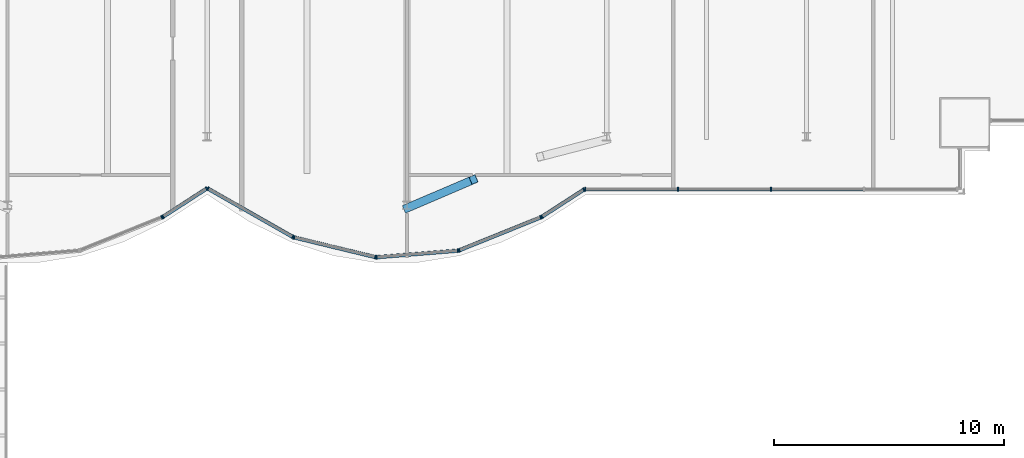
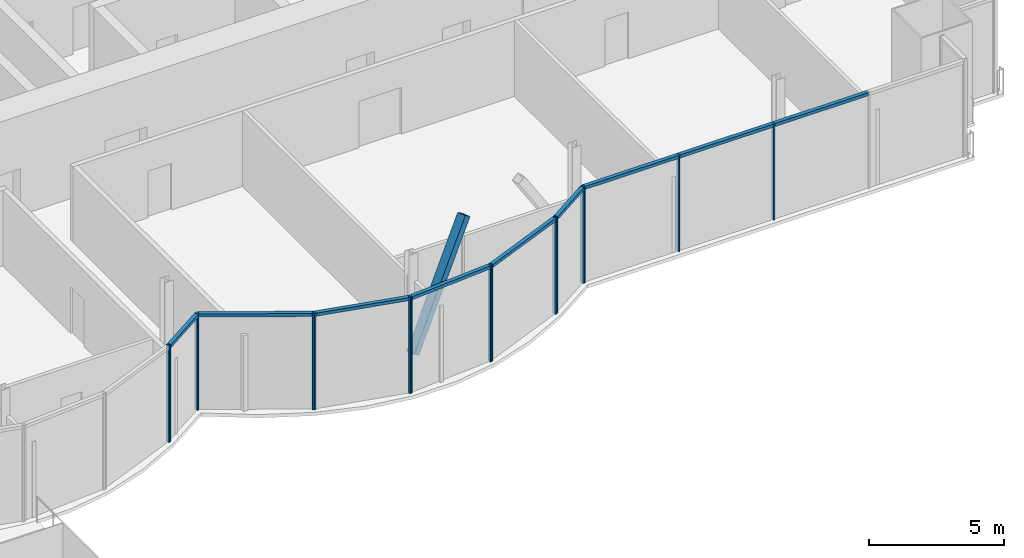
# One storey, part 8 of 22: 26 members, 3 elements without a shape of their own.
"""IFC4 building model written with IfcOpenShell, lengths in metres."""

from ifc_helpers import new_model, si_unit, direction, frame, origin, origin_2d, place, context, subcontext, project, spatial, rectangle, hollow_rectangle, extrude, material, material_profile, profile_set, type_object, element, aggregate, save


model = new_model("IFC4")

# Units and contexts
model_context = context("Model", 3, precision=1e-05, world=origin(), true_north=direction((0.0, 1.0)))
body_context = subcontext(model_context, "Body", "Model", "MODEL_VIEW")
ifc_project = project(units=[si_unit("LENGTHUNIT", "METRE"), si_unit("AREAUNIT", "SQUARE_METRE"), si_unit("VOLUMEUNIT", "CUBIC_METRE"), si_unit("PLANEANGLEUNIT", "RADIAN"), si_unit("MASSUNIT", "GRAM", prefix="KILO")], contexts=[model_context])

# Site, building, storey
site_placement = place(None, origin())
site = spatial("IfcSite", under=ifc_project, at=site_placement, CompositionType="ELEMENT")
building_placement = place(site_placement, origin())
building = spatial("IfcBuilding", under=site, at=building_placement, Name="Bicima Exchange Tower", CompositionType="ELEMENT")
storey_placement = place(building_placement, frame((0.0, 0.0, 293.0)))
storey = spatial("IfcBuildingStorey", under=building, at=storey_placement, Name="L66", CompositionType="ELEMENT", Elevation=293.0)

# Curtain wall, members
ifc_material_1 = material(Name="Anodised bronze aluminium", Category="aluminium")
curtain_wall_type = type_object("IfcCurtainWallType", Name="Front glass wall", PredefinedType="NOTDEFINED", material=ifc_material_1)
curtain_wall_1_placement = place(storey_placement, origin())
curtain_wall_1 = element("IfcCurtainWall", 1, at=curtain_wall_1_placement, inside=storey, type_object=curtain_wall_type, Name="Front glass wall L66 run 6", PredefinedType="NOTDEFINED")
ifc_material_profile_1 = material_profile(ifc_material_1, rectangle(XDim=0.159912109375, YDim=0.06005859375, at=origin_2d()))
ifc_profile_set_1 = profile_set([ifc_material_profile_1], Name="Anodised bronze aluminium")
member_type_1 = type_object("IfcMemberType", Name="Front glass wall mullion 60 x 160", PredefinedType="MULLION", material=ifc_profile_set_1)
member_1_placement = place(storey_placement, frame((-1.97412109375, -28.355712890625, 0.0), z_axis=(0.0, 0.0, 1.0), x_axis=(-0.374705304, 0.92714396679, 0.0)))
member_1 = element("IfcMember", 2, at=member_1_placement, type_object=member_type_1, Name="Front glass wall mullion 2", PredefinedType="MULLION", context=body_context, shape_type="SweptSolid", body=[
    extrude(rectangle(XDim=0.159912109375, YDim=0.06005859375, at=origin_2d()), origin(), (0.0, 0.0, 1.0), 4.35009765625),
])
member_2_placement = place(storey_placement, frame((-1.921142578125, -28.328125, 0.0), z_axis=(0.0, 0.0, 1.0), x_axis=(-0.542897457326, 0.839798994301, 0.0)))
member_2 = element("IfcMember", 3, at=member_2_placement, type_object=member_type_1, Name="Front glass wall mullion 1", PredefinedType="MULLION", context=body_context, shape_type="SweptSolid", body=[
    extrude(rectangle(XDim=0.159912109375, YDim=0.06005859375, at=origin_2d()), origin(), (0.0, 0.0, 1.0), 4.35009765625),
])
member_3_placement = place(storey_placement, frame((-0.025146484375, -27.102294921875, 0.0), z_axis=(0.0, 0.0, 1.0), x_axis=(-0.542897457326, 0.839798994301, 0.0)))
member_3 = element("IfcMember", 4, at=member_3_placement, type_object=member_type_1, Name="Front glass wall mullion 2", PredefinedType="MULLION", context=body_context, shape_type="SweptSolid", body=[
    extrude(rectangle(XDim=0.159912109375, YDim=0.06005859375, at=origin_2d()), origin(), (0.0, 0.0, 1.0), 4.35009765625),
])

curtain_wall_2_placement = place(storey_placement, origin())
curtain_wall_2 = element("IfcCurtainWall", 5, at=curtain_wall_2_placement, inside=storey, type_object=curtain_wall_type, Name="Front glass wall L66 run 11", PredefinedType="NOTDEFINED")
member_4_placement = place(storey_placement, frame((0.026123046875, -27.10107421875, 0.0), z_axis=(0.0, 0.0, 1.0), x_axis=(0.494330311331, 0.869274147378, 0.0)))
member_4 = element("IfcMember", 6, at=member_4_placement, type_object=member_type_1, Name="Front glass wall mullion 1", PredefinedType="MULLION", context=body_context, shape_type="SweptSolid", body=[
    extrude(rectangle(XDim=0.159912109375, YDim=0.06005859375, at=origin_2d()), origin(), (0.0, 0.0, 1.0), 4.35009765625),
])
member_5_placement = place(storey_placement, frame((3.7265625, -29.205322265625, 0.0), z_axis=(0.0, 0.0, 1.0), x_axis=(0.494330311331, 0.869274147378, 0.0)))
member_5 = element("IfcMember", 7, at=member_5_placement, type_object=member_type_1, Name="Front glass wall mullion 2", PredefinedType="MULLION", context=body_context, shape_type="SweptSolid", body=[
    extrude(rectangle(XDim=0.159912109375, YDim=0.06005859375, at=origin_2d()), origin(), (0.0, 0.0, 1.0), 4.35009765625),
])
member_6_placement = place(storey_placement, frame((3.781982421875, -29.227294921875, 0.0), z_axis=(0.0, 0.0, 1.0), x_axis=(0.235681529503, 0.971830343553, 0.0)))
member_6 = element("IfcMember", 8, at=member_6_placement, type_object=member_type_1, Name="Front glass wall mullion 1", PredefinedType="MULLION", context=body_context, shape_type="SweptSolid", body=[
    extrude(rectangle(XDim=0.159912109375, YDim=0.06005859375, at=origin_2d()), origin(), (0.0, 0.0, 1.0), 4.35009765625),
])
member_7_placement = place(storey_placement, frame((7.322509765625, -30.0859375, 0.0), z_axis=(0.0, 0.0, 1.0), x_axis=(0.235681529503, 0.971830343553, 0.0)))
member_7 = element("IfcMember", 9, at=member_7_placement, type_object=member_type_1, Name="Front glass wall mullion 2", PredefinedType="MULLION", context=body_context, shape_type="SweptSolid", body=[
    extrude(rectangle(XDim=0.159912109375, YDim=0.06005859375, at=origin_2d()), origin(), (0.0, 0.0, 1.0), 4.35009765625),
])
member_8_placement = place(storey_placement, frame((7.381591796875, -30.090576171875, 0.0), z_axis=(0.0, 0.0, 1.0), x_axis=(-0.080588612633, 0.99674744821, 0.0)))
member_8 = element("IfcMember", 10, at=member_8_placement, type_object=member_type_1, Name="Front glass wall mullion 1", PredefinedType="MULLION", context=body_context, shape_type="SweptSolid", body=[
    extrude(rectangle(XDim=0.159912109375, YDim=0.06005859375, at=origin_2d()), origin(), (0.0, 0.0, 1.0), 4.35009765625),
])
member_9_placement = place(storey_placement, frame((10.916015625, -29.8046875, 0.0), z_axis=(0.0, 0.0, 1.0), x_axis=(-0.080588612633, 0.99674744821, 0.0)))
member_9 = element("IfcMember", 11, at=member_9_placement, type_object=member_type_1, Name="Front glass wall mullion 2", PredefinedType="MULLION", context=body_context, shape_type="SweptSolid", body=[
    extrude(rectangle(XDim=0.159912109375, YDim=0.06005859375, at=origin_2d()), origin(), (0.0, 0.0, 1.0), 4.35009765625),
])
member_10_placement = place(storey_placement, frame((10.973876953125, -29.791259765625, 0.0), z_axis=(0.0, 0.0, 1.0), x_axis=(-0.374705304, 0.92714396679, 0.0)))
member_10 = element("IfcMember", 12, at=member_10_placement, type_object=member_type_1, Name="Front glass wall mullion 1", PredefinedType="MULLION", context=body_context, shape_type="SweptSolid", body=[
    extrude(rectangle(XDim=0.159912109375, YDim=0.06005859375, at=origin_2d()), origin(), (0.0, 0.0, 1.0), 4.35009765625),
])
member_11_placement = place(storey_placement, frame((14.52587890625, -28.355712890625, 0.0), z_axis=(0.0, 0.0, 1.0), x_axis=(-0.374705304, 0.92714396679, 0.0)))
member_11 = element("IfcMember", 13, at=member_11_placement, type_object=member_type_1, Name="Front glass wall mullion 2", PredefinedType="MULLION", context=body_context, shape_type="SweptSolid", body=[
    extrude(rectangle(XDim=0.159912109375, YDim=0.06005859375, at=origin_2d()), origin(), (0.0, 0.0, 1.0), 4.35009765625),
])
member_12_placement = place(storey_placement, frame((14.578857421875, -28.328125, 0.0), z_axis=(0.0, 0.0, 1.0), x_axis=(-0.542909183079, 0.839791413941, 0.0)))
member_12 = element("IfcMember", 14, at=member_12_placement, type_object=member_type_1, Name="Front glass wall mullion 1", PredefinedType="MULLION", context=body_context, shape_type="SweptSolid", body=[
    extrude(rectangle(XDim=0.159912109375, YDim=0.06005859375, at=origin_2d()), origin(), (0.0, 0.0, 1.0), 4.35009765625),
])
member_13_placement = place(storey_placement, frame((16.406982421875, -27.146240234375, 0.0), z_axis=(0.0, 0.0, 1.0), x_axis=(-0.542909183079, 0.839791413941, 0.0)))
member_13 = element("IfcMember", 15, at=member_13_placement, type_object=member_type_1, Name="Front glass wall mullion 2", PredefinedType="MULLION", context=body_context, shape_type="SweptSolid", body=[
    extrude(rectangle(XDim=0.159912109375, YDim=0.06005859375, at=origin_2d()), origin(), (0.0, 0.0, 1.0), 4.35009765625),
])

curtain_wall_3_placement = place(storey_placement, origin())
curtain_wall_3 = element("IfcCurtainWall", 16, at=curtain_wall_3_placement, inside=storey, type_object=curtain_wall_type, Name="Front glass wall L66 run 16", PredefinedType="NOTDEFINED")
member_14_placement = place(storey_placement, frame((16.462158203125, -27.1298828125, 0.0), z_axis=(0.0, 0.0, 1.0), x_axis=(0.0, 1.0, 0.0)))
member_14 = element("IfcMember", 17, at=member_14_placement, type_object=member_type_1, Name="Front glass wall mullion 1", PredefinedType="MULLION", context=body_context, shape_type="SweptSolid", body=[
    extrude(rectangle(XDim=0.159912109375, YDim=0.06005859375, at=origin_2d()), origin(), (0.0, 0.0, 1.0), 4.35009765625),
])
member_15_placement = place(storey_placement, frame((20.51171875, -27.1298828125, 0.0), z_axis=(0.0, 0.0, 1.0), x_axis=(0.0, 1.0, 0.0)))
member_15 = element("IfcMember", 18, at=member_15_placement, type_object=member_type_1, Name="Front glass wall mullion 2", PredefinedType="MULLION", context=body_context, shape_type="SweptSolid", body=[
    extrude(rectangle(XDim=0.159912109375, YDim=0.06005859375, at=origin_2d()), origin(), (0.0, 0.0, 1.0), 4.35009765625),
])
member_16_placement = place(storey_placement, frame((24.56103515625, -27.1298828125, 0.0), z_axis=(0.0, 0.0, 1.0), x_axis=(0.0, 1.0, 0.0)))
member_16 = element("IfcMember", 19, at=member_16_placement, type_object=member_type_1, Name="Front glass wall mullion 3", PredefinedType="MULLION", context=body_context, shape_type="SweptSolid", body=[
    extrude(rectangle(XDim=0.159912109375, YDim=0.06005859375, at=origin_2d()), origin(), (0.0, 0.0, 1.0), 4.35009765625),
])

# Member
ifc_material_profile_2 = material_profile(ifc_material_1, rectangle(XDim=0.159912109375, YDim=0.139892578125, at=origin_2d()))
ifc_profile_set_2 = profile_set([ifc_material_profile_2], Name="Anodised bronze aluminium")
member_type_2 = type_object("IfcMemberType", Name="Front glass wall transom 140 x 160", PredefinedType="USERDEFINED", material=ifc_profile_set_2)
member_17_placement = place(storey_placement, frame((-1.89599609375, -28.311767578125, 4.280029296875), z_axis=(0.839811483481, 0.542878137536, 0.0), x_axis=(-0.542878137536, 0.839811483481, 0.0)))
member_17 = element("IfcMember", 20, at=member_17_placement, type_object=member_type_2, Name="Front glass wall transom 1.1", ObjectType="TRANSOM", PredefinedType="USERDEFINED", context=body_context, shape_type="SweptSolid", body=[
    extrude(rectangle(XDim=0.159912109375, YDim=0.139892578125, at=origin_2d()), origin(), (0.0, 0.0, 1.0), 2.19775390625),
])

aggregate(curtain_wall_1, [member_1, member_2, member_3, member_17])

member_18_placement = place(storey_placement, frame((0.05224609375, -27.11572265625, 4.280029296875), z_axis=(0.869265121745, -0.494346182466, 0.0), x_axis=(0.494346182466, 0.869265121745, 0.0)))
member_18 = element("IfcMember", 21, at=member_18_placement, type_object=member_type_2, Name="Front glass wall transom 1.1", ObjectType="TRANSOM", PredefinedType="USERDEFINED", context=body_context, shape_type="SweptSolid", body=[
    extrude(rectangle(XDim=0.159912109375, YDim=0.139892578125, at=origin_2d()), origin(), (0.0, 0.0, 1.0), 4.19677734375),
])

member_19_placement = place(storey_placement, frame((3.81103515625, -29.234375, 4.280029296875), z_axis=(0.971833557815, -0.235668275132, 0.0), x_axis=(0.235668275132, 0.971833557815, 0.0)))
member_19 = element("IfcMember", 22, at=member_19_placement, type_object=member_type_2, Name="Front glass wall transom 1.1", ObjectType="TRANSOM", PredefinedType="USERDEFINED", context=body_context, shape_type="SweptSolid", body=[
    extrude(rectangle(XDim=0.159912109375, YDim=0.139892578125, at=origin_2d()), origin(), (0.0, 0.0, 1.0), 3.583251953125),
])

member_20_placement = place(storey_placement, frame((7.41162109375, -30.088134765625, 4.280029296875), z_axis=(0.9967456465, 0.080610893699, 0.0), x_axis=(-0.080610893699, 0.9967456465, 0.0)))
member_20 = element("IfcMember", 23, at=member_20_placement, type_object=member_type_2, Name="Front glass wall transom 1.1", ObjectType="TRANSOM", PredefinedType="USERDEFINED", context=body_context, shape_type="SweptSolid", body=[
    extrude(rectangle(XDim=0.159912109375, YDim=0.139892578125, at=origin_2d()), origin(), (0.0, 0.0, 1.0), 3.48583984375),
])

member_21_placement = place(storey_placement, frame((11.001708984375, -29.77978515625, 4.280029296875), z_axis=(0.927140215882, 0.374714584842, 0.0), x_axis=(-0.374714584842, 0.927140215882, 0.0)))
member_21 = element("IfcMember", 24, at=member_21_placement, type_object=member_type_2, Name="Front glass wall transom 1.1", ObjectType="TRANSOM", PredefinedType="USERDEFINED", context=body_context, shape_type="SweptSolid", body=[
    extrude(rectangle(XDim=0.159912109375, YDim=0.139892578125, at=origin_2d()), origin(), (0.0, 0.0, 1.0), 3.77099609375),
])

member_22_placement = place(storey_placement, frame((14.60400390625, -28.311767578125, 4.280029296875), z_axis=(0.839792890287, 0.542906899407, 0.0), x_axis=(-0.542906899407, 0.839792890287, 0.0)))
member_22 = element("IfcMember", 25, at=member_22_placement, type_object=member_type_2, Name="Front glass wall transom 1.1", ObjectType="TRANSOM", PredefinedType="USERDEFINED", context=body_context, shape_type="SweptSolid", body=[
    extrude(rectangle(XDim=0.159912109375, YDim=0.139892578125, at=origin_2d()), origin(), (0.0, 0.0, 1.0), 2.11669921875),
])

aggregate(curtain_wall_2, [member_4, member_5, member_18, member_6, member_7, member_19, member_8, member_9, member_20, member_10, member_11, member_21, member_12, member_13, member_22])

member_23_placement = place(storey_placement, frame((16.4921875, -27.1298828125, 4.280029296875), z_axis=(1.0, 0.0, 0.0), x_axis=(0.0, 1.0, 0.0)))
member_23 = element("IfcMember", 26, at=member_23_placement, type_object=member_type_2, Name="Front glass wall transom 1.1", ObjectType="TRANSOM", PredefinedType="USERDEFINED", context=body_context, shape_type="SweptSolid", body=[
    extrude(rectangle(XDim=0.159912109375, YDim=0.139892578125, at=origin_2d()), origin(), (0.0, 0.0, 1.0), 3.989501953125),
])

member_24_placement = place(storey_placement, frame((20.54150390625, -27.1298828125, 4.280029296875), z_axis=(1.0, 0.0, 0.0), x_axis=(0.0, 1.0, 0.0)))
member_24 = element("IfcMember", 27, at=member_24_placement, type_object=member_type_2, Name="Front glass wall transom 2.1", ObjectType="TRANSOM", PredefinedType="USERDEFINED", context=body_context, shape_type="SweptSolid", body=[
    extrude(rectangle(XDim=0.159912109375, YDim=0.139892578125, at=origin_2d()), origin(), (0.0, 0.0, 1.0), 3.989501953125),
])

member_25_placement = place(storey_placement, frame((24.591064453125, -27.1298828125, 4.280029296875), z_axis=(1.0, 0.0, 0.0), x_axis=(0.0, 1.0, 0.0)))
member_25 = element("IfcMember", 28, at=member_25_placement, type_object=member_type_2, Name="Front glass wall transom 3.1", ObjectType="TRANSOM", PredefinedType="USERDEFINED", context=body_context, shape_type="SweptSolid", body=[
    extrude(rectangle(XDim=0.159912109375, YDim=0.139892578125, at=origin_2d()), origin(), (0.0, 0.0, 1.0), 3.989501953125),
])

aggregate(curtain_wall_3, [member_14, member_15, member_16, member_23, member_24, member_25])

ifc_material_2 = material(Name="Steel ASTM A572 Gr 50", Category="steel")
ifc_material_profile_3 = material_profile(ifc_material_2, hollow_rectangle(XDim=0.355712890625, YDim=0.355712890625, WallThickness=0.01171875, at=origin_2d()))
ifc_profile_set_3 = profile_set([ifc_material_profile_3], Name="Steel ASTM A572 Gr 50")
member_type_3 = type_object("IfcMemberType", Name="Mega brace HSS14x14x1/2", PredefinedType="BRACE", material=ifc_profile_set_3)
member_26_placement = place(storey_placement, frame((8.699951171875, -27.951171875, 0.0), z_axis=(0.527722980782, 0.225856017703, 0.818839126338), x_axis=(-0.393461568723, 0.919341065078, 0.0)))
element("IfcMember", 29, at=member_26_placement, inside=storey, type_object=member_type_3, Name="Mega brace front", PredefinedType="BRACE", context=body_context, shape_type="SweptSolid", body=[
    extrude(hollow_rectangle(XDim=0.355712890625, YDim=0.355712890625, WallThickness=0.01171875, at=origin_2d()), origin(), (0.0, 0.0, 1.0), 5.49560546875),
])

save(model, "model.ifc")
